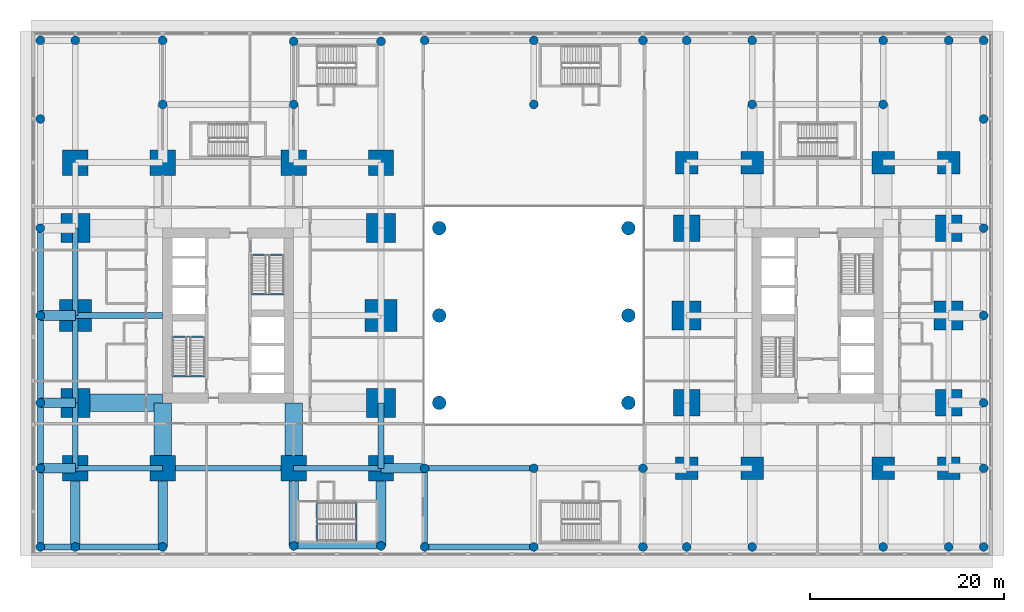
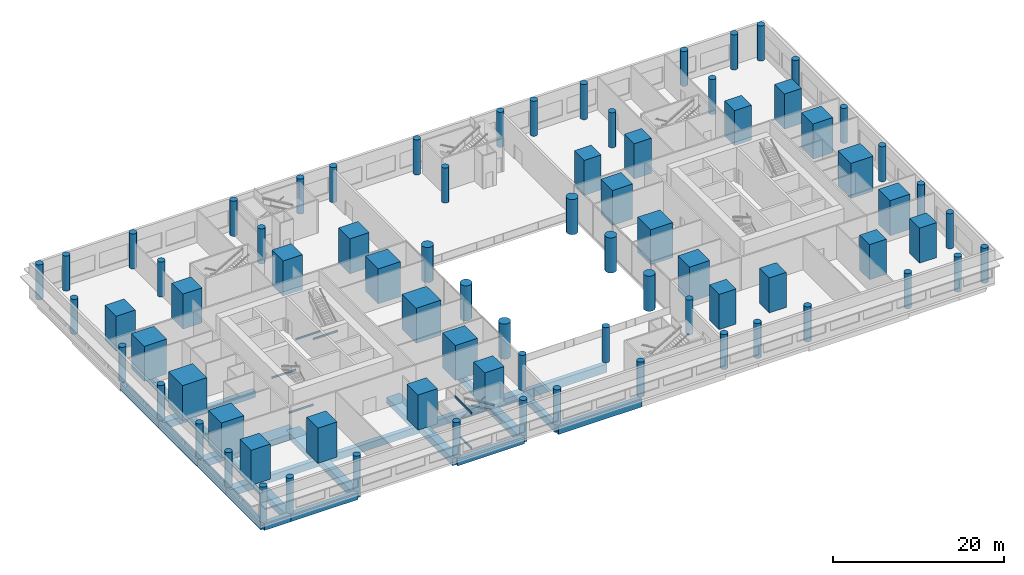
# One storey, part 1 of 22: 78 columns, 36 beams.
"""IFC4 building model written with IfcOpenShell, lengths in metres."""

from ifc_helpers import new_model, si_unit, direction, frame, origin, origin_2d, place, context, subcontext, project, spatial, rectangle, circle, i_section, extrude, material, material_profile, profile_set, type_object, element, save


model = new_model("IFC4")

# Units and contexts
model_context = context("Model", 3, precision=1e-05, world=origin(), true_north=direction((0.0, 1.0)))
body_context = subcontext(model_context, "Body", "Model", "MODEL_VIEW")
ifc_project = project(units=[si_unit("LENGTHUNIT", "METRE"), si_unit("AREAUNIT", "SQUARE_METRE"), si_unit("VOLUMEUNIT", "CUBIC_METRE"), si_unit("PLANEANGLEUNIT", "RADIAN"), si_unit("MASSUNIT", "GRAM", prefix="KILO")], contexts=[model_context])

# Site, building, storey
site_placement = place(None, origin())
site = spatial("IfcSite", under=ifc_project, at=site_placement, CompositionType="ELEMENT")
building_placement = place(site_placement, origin())
building = spatial("IfcBuilding", under=site, at=building_placement, Name="Namib Vertical Campus", CompositionType="ELEMENT")
storey_placement = place(building_placement, frame((0.0, 0.0, 11.0)))
storey = spatial("IfcBuildingStorey", under=building, at=storey_placement, Name="L02", CompositionType="ELEMENT", Elevation=11.0)

# Columns
ifc_material_1 = material(Name="Concrete C60/75", Category="concrete")
ifc_material_profile_1 = material_profile(ifc_material_1, circle(Radius=0.699951171875, at=origin_2d()))
ifc_profile_set_1 = profile_set([ifc_material_profile_1], Name="Concrete C60/75")
column_type_1 = type_object("IfcColumnType", Name="Atrium column RC D1400", PredefinedType="COLUMN", material=ifc_profile_set_1)
for number, where, z_axis, x_axis, name in (
    (1, (42.0, 11.25, 0.0), (0.0, 0.0, 1.0), (1.0, 0.0, 0.0), "Column PC14 L02"),
    (2, (61.5, 11.25, 0.0), (0.0, 0.0, 1.0), (1.0, 0.0, 0.0), "Column PC14 L02"),
    (3, (42.0, 20.25, 0.0), (0.0, 0.0, 1.0), (1.0, 0.0, 0.0), "Column PC14 L02"),
    (4, (61.5, 20.25, 0.0), (0.0, 0.0, 1.0), (1.0, 0.0, 0.0), "Column PC14 L02"),
    (5, (42.0, 29.25, 0.0), (0.0, 0.0, 1.0), (1.0, 0.0, 0.0), "Column PC14 L02"),
    (6, (61.5, 29.25, 0.0), (0.0, 0.0, 1.0), (1.0, 0.0, 0.0), "Column PC14 L02"),
):
    element("IfcColumn", number, at=place(storey_placement, frame(where, z_axis=z_axis, x_axis=x_axis)), inside=storey, type_object=column_type_1, Name=name, PredefinedType="COLUMN", context=body_context, shape_type="SweptSolid", body=[
        extrude(circle(Radius=0.699951171875, at=origin_2d()), origin(), (0.0, 0.0, 1.0), 5.0),
    ])
ifc_material_2 = material(Name="Concrete C60/75", Category="concrete")
ifc_material_profile_2 = material_profile(ifc_material_2, rectangle(XDim=2.300048828125, YDim=2.300048828125, at=origin_2d()))
ifc_profile_set_2 = profile_set([ifc_material_profile_2], Name="Concrete C60/75")
column_type_2 = type_object("IfcColumnType", Name="Column RC 2300x2300", PredefinedType="COLUMN", material=ifc_profile_set_2)
for number, where, z_axis, x_axis, name in (
    (7, (67.5, 4.5, 0.0), (0.0, 0.0, 1.0), (1.0, 0.0, 0.0), "Column C230 L02"),
    (8, (74.25, 4.5, 0.0), (0.0, 0.0, 1.0), (1.0, 0.0, 0.0), "Column C230 L02"),
    (9, (87.75, 4.5, 0.0), (0.0, 0.0, 1.0), (1.0, 0.0, 0.0), "Column C230 L02"),
    (10, (94.5, 4.5, 0.0), (0.0, 0.0, 1.0), (1.0, 0.0, 0.0), "Column C230 L02"),
    (11, (67.5, 36.0, 0.0), (0.0, 0.0, 1.0), (1.0, 0.0, 0.0), "Column C230 L02"),
    (12, (74.25, 36.0, 0.0), (0.0, 0.0, 1.0), (1.0, 0.0, 0.0), "Column C230 L02"),
    (13, (87.75, 36.0, 0.0), (0.0, 0.0, 1.0), (1.0, 0.0, 0.0), "Column C230 L02"),
    (14, (94.5, 36.0, 0.0), (0.0, 0.0, 1.0), (1.0, 0.0, 0.0), "Column C230 L02"),
):
    element("IfcColumn", number, at=place(storey_placement, frame(where, z_axis=z_axis, x_axis=x_axis)), inside=storey, type_object=column_type_2, Name=name, PredefinedType="COLUMN", context=body_context, shape_type="SweptSolid", body=[
        extrude(rectangle(XDim=2.300048828125, YDim=2.300048828125, at=origin_2d()), origin(), (0.0, 0.0, 1.0), 5.0),
    ])
ifc_material_3 = material(Name="Concrete C60/75", Category="concrete")
ifc_material_profile_3 = material_profile(ifc_material_3, rectangle(XDim=2.60009765625, YDim=2.60009765625, at=origin_2d()))
ifc_profile_set_3 = profile_set([ifc_material_profile_3], Name="Concrete C60/75")
column_type_3 = type_object("IfcColumnType", Name="Column RC 2600x2600", PredefinedType="COLUMN", material=ifc_profile_set_3)
for number, where, z_axis, x_axis, name in (
    (15, (4.5, 4.5, 0.0), (0.0, 0.0, 1.0), (1.0, 0.0, 0.0), "Column C260 L02"),
    (16, (13.5, 4.5, 0.0), (0.0, 0.0, 1.0), (1.0, 0.0, 0.0), "Column C260 L02"),
    (17, (27.0, 4.5, 0.0), (0.0, 0.0, 1.0), (1.0, 0.0, 0.0), "Column C260 L02"),
    (18, (36.0, 4.5, 0.0), (0.0, 0.0, 1.0), (1.0, 0.0, 0.0), "Column C260 L02"),
    (19, (4.5, 36.0, 0.0), (0.0, 0.0, 1.0), (1.0, 0.0, 0.0), "Column C260 L02"),
    (20, (13.5, 36.0, 0.0), (0.0, 0.0, 1.0), (1.0, 0.0, 0.0), "Column C260 L02"),
    (21, (27.0, 36.0, 0.0), (0.0, 0.0, 1.0), (1.0, 0.0, 0.0), "Column C260 L02"),
    (22, (36.0, 36.0, 0.0), (0.0, 0.0, 1.0), (1.0, 0.0, 0.0), "Column C260 L02"),
):
    element("IfcColumn", number, at=place(storey_placement, frame(where, z_axis=z_axis, x_axis=x_axis)), inside=storey, type_object=column_type_3, Name=name, PredefinedType="COLUMN", context=body_context, shape_type="SweptSolid", body=[
        extrude(rectangle(XDim=2.60009765625, YDim=2.60009765625, at=origin_2d()), origin(), (0.0, 0.0, 1.0), 5.0),
    ])
ifc_material_4 = material(Name="Concrete C60/75", Category="concrete")
ifc_material_profile_4 = material_profile(ifc_material_4, rectangle(XDim=2.699951171875, YDim=2.699951171875, at=origin_2d()))
ifc_profile_set_4 = profile_set([ifc_material_profile_4], Name="Concrete C60/75")
column_type_4 = type_object("IfcColumnType", Name="Column RC 2700x2700", PredefinedType="COLUMN", material=ifc_profile_set_4)
for number, where, z_axis, x_axis, name in (
    (23, (67.5, 11.25, 0.0), (0.0, 0.0, 1.0), (1.0, 0.0, 0.0), "Column C270 L02"),
    (24, (94.5, 11.25, 0.0), (0.0, 0.0, 1.0), (1.0, 0.0, 0.0), "Column C270 L02"),
    (25, (67.5, 29.25, 0.0), (0.0, 0.0, 1.0), (1.0, 0.0, 0.0), "Column C270 L02"),
    (26, (94.5, 29.25, 0.0), (0.0, 0.0, 1.0), (1.0, 0.0, 0.0), "Column C270 L02"),
):
    element("IfcColumn", number, at=place(storey_placement, frame(where, z_axis=z_axis, x_axis=x_axis)), inside=storey, type_object=column_type_4, Name=name, PredefinedType="COLUMN", context=body_context, shape_type="SweptSolid", body=[
        extrude(rectangle(XDim=2.699951171875, YDim=2.699951171875, at=origin_2d()), origin(), (0.0, 0.0, 1.0), 5.0),
    ])
ifc_material_5 = material(Name="Concrete C60/75", Category="concrete")
ifc_material_profile_5 = material_profile(ifc_material_5, rectangle(XDim=3.0, YDim=3.0, at=origin_2d()))
ifc_profile_set_5 = profile_set([ifc_material_profile_5], Name="Concrete C60/75")
column_type_5 = type_object("IfcColumnType", Name="Column RC 3000x3000", PredefinedType="COLUMN", material=ifc_profile_set_5)
for number, where, z_axis, x_axis, name in (
    (27, (4.5, 11.25, 0.0), (0.0, 0.0, 1.0), (1.0, 0.0, 0.0), "Column C300 L02"),
    (28, (36.0, 11.25, 0.0), (0.0, 0.0, 1.0), (1.0, 0.0, 0.0), "Column C300 L02"),
    (29, (4.5, 29.25, 0.0), (0.0, 0.0, 1.0), (1.0, 0.0, 0.0), "Column C300 L02"),
    (30, (36.0, 29.25, 0.0), (0.0, 0.0, 1.0), (1.0, 0.0, 0.0), "Column C300 L02"),
    (31, (67.5, 20.25, 0.0), (0.0, 0.0, 1.0), (1.0, 0.0, 0.0), "Column C300 L02"),
    (32, (94.5, 20.25, 0.0), (0.0, 0.0, 1.0), (1.0, 0.0, 0.0), "Column C300 L02"),
):
    element("IfcColumn", number, at=place(storey_placement, frame(where, z_axis=z_axis, x_axis=x_axis)), inside=storey, type_object=column_type_5, Name=name, PredefinedType="COLUMN", context=body_context, shape_type="SweptSolid", body=[
        extrude(rectangle(XDim=3.0, YDim=3.0, at=origin_2d()), origin(), (0.0, 0.0, 1.0), 5.0),
    ])
ifc_material_6 = material(Name="Concrete C60/75", Category="concrete")
ifc_material_profile_6 = material_profile(ifc_material_6, rectangle(XDim=3.300048828125, YDim=3.300048828125, at=origin_2d()))
ifc_profile_set_6 = profile_set([ifc_material_profile_6], Name="Concrete C60/75")
column_type_6 = type_object("IfcColumnType", Name="Column RC 3300x3300", PredefinedType="COLUMN", material=ifc_profile_set_6)
for number, where, z_axis, x_axis, name in (
    (33, (4.5, 20.25, 0.0), (0.0, 0.0, 1.0), (1.0, 0.0, 0.0), "Column C330 L02"),
    (34, (36.0, 20.25, 0.0), (0.0, 0.0, 1.0), (1.0, 0.0, 0.0), "Column C330 L02"),
):
    element("IfcColumn", number, at=place(storey_placement, frame(where, z_axis=z_axis, x_axis=x_axis)), inside=storey, type_object=column_type_6, Name=name, PredefinedType="COLUMN", context=body_context, shape_type="SweptSolid", body=[
        extrude(rectangle(XDim=3.300048828125, YDim=3.300048828125, at=origin_2d()), origin(), (0.0, 0.0, 1.0), 5.0),
    ])
ifc_material_7 = material(Name="Concrete C60/75", Category="concrete")
ifc_material_profile_7 = material_profile(ifc_material_7, circle(Radius=0.449951171875, at=origin_2d()))
ifc_profile_set_7 = profile_set([ifc_material_profile_7], Name="Concrete C60/75")
column_type_7 = type_object("IfcColumnType", Name="Podium column RC D900", PredefinedType="COLUMN", material=ifc_profile_set_7)
for number, where, z_axis, x_axis, name in (
    (35, (0.89990234375, -3.60009765625, 0.0), (0.0, 0.0, 1.0), (1.0, 0.0, 0.0), "Column PC9 L02"),
    (36, (4.5, -3.60009765625, 0.0), (0.0, 0.0, 1.0), (1.0, 0.0, 0.0), "Column PC9 L02"),
    (37, (13.5, -3.60009765625, 0.0), (0.0, 0.0, 1.0), (1.0, 0.0, 0.0), "Column PC9 L02"),
    (38, (27.0, -3.5, 0.0), (0.0, 0.0, 1.0), (1.0, 0.0, 0.0), "Column PC9 L02"),
    (39, (36.0, -3.5, 0.0), (0.0, 0.0, 1.0), (1.0, 0.0, 0.0), "Column PC9 L02"),
    (40, (40.5, -3.60009765625, 0.0), (0.0, 0.0, 1.0), (1.0, 0.0, 0.0), "Column PC9 L02"),
    (41, (51.75, -3.60009765625, 0.0), (0.0, 0.0, 1.0), (1.0, 0.0, 0.0), "Column PC9 L02"),
    (42, (63.0, -3.60009765625, 0.0), (0.0, 0.0, 1.0), (1.0, 0.0, 0.0), "Column PC9 L02"),
    (43, (67.5, -3.60009765625, 0.0), (0.0, 0.0, 1.0), (1.0, 0.0, 0.0), "Column PC9 L02"),
    (44, (74.25, -3.60009765625, 0.0), (0.0, 0.0, 1.0), (1.0, 0.0, 0.0), "Column PC9 L02"),
    (45, (87.75, -3.60009765625, 0.0), (0.0, 0.0, 1.0), (1.0, 0.0, 0.0), "Column PC9 L02"),
    (46, (94.5, -3.60009765625, 0.0), (0.0, 0.0, 1.0), (1.0, 0.0, 0.0), "Column PC9 L02"),
    (47, (98.10009765625, -3.60009765625, 0.0), (0.0, 0.0, 1.0), (1.0, 0.0, 0.0), "Column PC9 L02"),
    (48, (0.89990234375, 4.5, 0.0), (0.0, 0.0, 1.0), (1.0, 0.0, 0.0), "Column PC9 L02"),
    (49, (40.5, 4.5, 0.0), (0.0, 0.0, 1.0), (1.0, 0.0, 0.0), "Column PC9 L02"),
    (50, (51.75, 4.5, 0.0), (0.0, 0.0, 1.0), (1.0, 0.0, 0.0), "Column PC9 L02"),
    (51, (63.0, 4.5, 0.0), (0.0, 0.0, 1.0), (1.0, 0.0, 0.0), "Column PC9 L02"),
    (52, (98.10009765625, 4.5, 0.0), (0.0, 0.0, 1.0), (1.0, 0.0, 0.0), "Column PC9 L02"),
    (53, (0.89990234375, 11.25, 0.0), (0.0, 0.0, 1.0), (1.0, 0.0, 0.0), "Column PC9 L02"),
    (54, (98.10009765625, 11.25, 0.0), (0.0, 0.0, 1.0), (1.0, 0.0, 0.0), "Column PC9 L02"),
    (55, (0.89990234375, 20.25, 0.0), (0.0, 0.0, 1.0), (1.0, 0.0, 0.0), "Column PC9 L02"),
    (56, (98.10009765625, 20.25, 0.0), (0.0, 0.0, 1.0), (1.0, 0.0, 0.0), "Column PC9 L02"),
    (57, (0.89990234375, 29.25, 0.0), (0.0, 0.0, 1.0), (1.0, 0.0, 0.0), "Column PC9 L02"),
    (58, (98.10009765625, 29.25, 0.0), (0.0, 0.0, 1.0), (1.0, 0.0, 0.0), "Column PC9 L02"),
    (59, (0.89990234375, 40.5, 0.0), (0.0, 0.0, 1.0), (1.0, 0.0, 0.0), "Column PC9 L02"),
    (60, (13.5, 42.0, 0.0), (0.0, 0.0, 1.0), (1.0, 0.0, 0.0), "Column PC9 L02"),
    (61, (27.0, 42.0, 0.0), (0.0, 0.0, 1.0), (1.0, 0.0, 0.0), "Column PC9 L02"),
    (62, (51.75, 42.0, 0.0), (0.0, 0.0, 1.0), (1.0, 0.0, 0.0), "Column PC9 L02"),
    (63, (74.25, 42.0, 0.0), (0.0, 0.0, 1.0), (1.0, 0.0, 0.0), "Column PC9 L02"),
    (64, (87.75, 42.0, 0.0), (0.0, 0.0, 1.0), (1.0, 0.0, 0.0), "Column PC9 L02"),
    (65, (98.10009765625, 40.5, 0.0), (0.0, 0.0, 1.0), (1.0, 0.0, 0.0), "Column PC9 L02"),
    (66, (0.89990234375, 48.60009765625, 0.0), (0.0, 0.0, 1.0), (1.0, 0.0, 0.0), "Column PC9 L02"),
    (67, (4.5, 48.60009765625, 0.0), (0.0, 0.0, 1.0), (1.0, 0.0, 0.0), "Column PC9 L02"),
    (68, (13.5, 48.60009765625, 0.0), (0.0, 0.0, 1.0), (1.0, 0.0, 0.0), "Column PC9 L02"),
    (69, (27.0, 48.5, 0.0), (0.0, 0.0, 1.0), (1.0, 0.0, 0.0), "Column PC9 L02"),
    (70, (36.0, 48.5, 0.0), (0.0, 0.0, 1.0), (1.0, 0.0, 0.0), "Column PC9 L02"),
    (71, (40.5, 48.60009765625, 0.0), (0.0, 0.0, 1.0), (1.0, 0.0, 0.0), "Column PC9 L02"),
    (72, (51.75, 48.60009765625, 0.0), (0.0, 0.0, 1.0), (1.0, 0.0, 0.0), "Column PC9 L02"),
    (73, (63.0, 48.60009765625, 0.0), (0.0, 0.0, 1.0), (1.0, 0.0, 0.0), "Column PC9 L02"),
    (74, (67.5, 48.60009765625, 0.0), (0.0, 0.0, 1.0), (1.0, 0.0, 0.0), "Column PC9 L02"),
    (75, (74.25, 48.60009765625, 0.0), (0.0, 0.0, 1.0), (1.0, 0.0, 0.0), "Column PC9 L02"),
    (76, (87.75, 48.60009765625, 0.0), (0.0, 0.0, 1.0), (1.0, 0.0, 0.0), "Column PC9 L02"),
    (77, (94.5, 48.60009765625, 0.0), (0.0, 0.0, 1.0), (1.0, 0.0, 0.0), "Column PC9 L02"),
    (78, (98.10009765625, 48.60009765625, 0.0), (0.0, 0.0, 1.0), (1.0, 0.0, 0.0), "Column PC9 L02"),
):
    element("IfcColumn", number, at=place(storey_placement, frame(where, z_axis=z_axis, x_axis=x_axis)), inside=storey, type_object=column_type_7, Name=name, PredefinedType="COLUMN", context=body_context, shape_type="SweptSolid", body=[
        extrude(circle(Radius=0.449951171875, at=origin_2d()), origin(), (0.0, 0.0, 1.0), 5.0),
    ])

# Beams
ifc_material_8 = material(Name="Concrete C40/50", Category="concrete")
ifc_material_profile_8 = material_profile(ifc_material_8, rectangle(XDim=0.60009765625, YDim=0.89990234375, at=origin_2d()))
ifc_profile_set_8 = profile_set([ifc_material_profile_8], Name="Concrete C40/50")
beam_type_1 = type_object("IfcBeamType", Name="Floor girder RC 600x900", PredefinedType="BEAM", material=ifc_profile_set_8)
beam_1_placement = place(storey_placement, frame((4.5, 20.25, -0.75), z_axis=(1.0, 0.0, 0.0), x_axis=(0.0, 1.0, 0.0)))
element("IfcBeam", 79, at=beam_1_placement, inside=storey, type_object=beam_type_1, Name="Beam B2 L02", PredefinedType="BEAM", context=body_context, shape_type="SweptSolid", body=[
    extrude(rectangle(XDim=0.60009765625, YDim=0.89990234375, at=origin_2d()), origin(), (0.0, 0.0, 1.0), 9.0),
])
ifc_material_9 = material(Name="Steel S355JR", Category="steel")
ifc_material_profile_9 = material_profile(ifc_material_9, i_section(OverallWidth=0.14599609375, OverallDepth=0.25146484375, WebThickness=0.006103515625, FlangeThickness=0.008544921875, FilletRadius=0.007568359375, at=origin_2d()))
ifc_profile_set_9 = profile_set([ifc_material_profile_9], Name="Steel S355JR")
beam_type_2 = type_object("IfcBeamType", Name="Landing trimmer UB 254x146x31", PredefinedType="BEAM", material=ifc_profile_set_9)
for number, where, z_axis, x_axis, name in (
    (80, (14.5, 13.97705078125, -0.125732421875), (1.0, 0.0, 0.0), (0.0, 1.0, 0.0), "Landing trimmer LT1 A-S1 L02 1"),
    (81, (14.5, 18.04296875, 2.374267578125), (1.0, 0.0, 0.0), (0.0, 1.0, 0.0), "Landing trimmer LT1 A-S1 L02 2"),
    (82, (22.64990234375, 26.52294921875, -0.125732421875), (1.0, 0.0, 0.0), (0.0, 1.0, 0.0), "Landing trimmer LT1 A-S2 L02 1"),
    (83, (22.64990234375, 22.45703125, 2.374267578125), (1.0, 0.0, 0.0), (0.0, 1.0, 0.0), "Landing trimmer LT1 A-S2 L02 2"),
):
    element("IfcBeam", number, at=place(storey_placement, frame(where, z_axis=z_axis, x_axis=x_axis)), inside=storey, type_object=beam_type_2, Name=name, PredefinedType="BEAM", context=body_context, shape_type="SweptSolid", body=[
        extrude(i_section(OverallWidth=0.14599609375, OverallDepth=0.25146484375, WebThickness=0.006103515625, FlangeThickness=0.008544921875, FilletRadius=0.007568359375, at=origin_2d()), origin(), (0.0, 0.0, 1.0), 3.35009765625),
    ])
for number, where, z_axis, x_axis, name in (
    (84, (29.373046875, -3.0, -0.125732421875), (0.0, 1.0, 0.0), (-1.0, 0.0, 0.0), "Landing trimmer LT1 P-S2 L02 1"),
    (85, (33.439208984375, -3.0, 2.374267578125), (0.0, 1.0, 0.0), (-1.0, 0.0, 0.0), "Landing trimmer LT1 P-S2 L02 2"),
    (86, (29.373046875, -3.0, 4.874267578125), (0.0, 1.0, 0.0), (-1.0, 0.0, 0.0), "Landing trimmer LT1 P-S2 L02 3"),
):
    element("IfcBeam", number, at=place(storey_placement, frame(where, z_axis=z_axis, x_axis=x_axis)), inside=storey, type_object=beam_type_2, Name=name, PredefinedType="BEAM", context=body_context, shape_type="SweptSolid", body=[
        extrude(i_section(OverallWidth=0.14599609375, OverallDepth=0.25146484375, WebThickness=0.006103515625, FlangeThickness=0.008544921875, FilletRadius=0.007568359375, at=origin_2d()), origin(), (0.0, 0.0, 1.0), 4.0),
    ])
ifc_material_10 = material(Name="Concrete C40/50", Category="concrete")
ifc_material_profile_10 = material_profile(ifc_material_10, rectangle(XDim=0.60009765625, YDim=1.199951171875, at=origin_2d()))
ifc_profile_set_10 = profile_set([ifc_material_profile_10], Name="Concrete C40/50")
beam_type_3 = type_object("IfcBeamType", Name="Long-span podium beam RC 600x1200", PredefinedType="BEAM", material=ifc_profile_set_10)
for number, where, z_axis, x_axis, name in (
    (87, (40.5, -3.60009765625, -0.89990234375), (1.0, 0.0, 0.0), (0.0, 1.0, 0.0), "Beam PB4 L02"),
    (88, (40.5, 4.5, -0.89990234375), (1.0, 0.0, 0.0), (0.0, 1.0, 0.0), "Beam PB4 L02"),
):
    element("IfcBeam", number, at=place(storey_placement, frame(where, z_axis=z_axis, x_axis=x_axis)), inside=storey, type_object=beam_type_3, Name=name, PredefinedType="BEAM", context=body_context, shape_type="SweptSolid", body=[
        extrude(rectangle(XDim=0.60009765625, YDim=1.199951171875, at=origin_2d()), origin(), (0.0, 0.0, 1.0), 11.25),
    ])
ifc_material_11 = material(Name="Concrete C40/50", Category="concrete")
ifc_material_profile_11 = material_profile(ifc_material_11, rectangle(XDim=1.800048828125, YDim=0.89990234375, at=origin_2d()))
ifc_profile_set_11 = profile_set([ifc_material_profile_11], Name="Concrete C40/50")
beam_type_4 = type_object("IfcBeamType", Name="Outrigger line girder RC 1800x900", PredefinedType="BEAM", material=ifc_profile_set_11)
for number, where, z_axis, x_axis, name in (
    (89, (13.5, 4.5, -0.75), (0.0, 1.0, 0.0), (-1.0, 0.0, 0.0), "Beam B12 L02"),
    (90, (27.0, 4.5, -0.75), (0.0, 1.0, 0.0), (-1.0, 0.0, 0.0), "Beam B12 L02"),
):
    element("IfcBeam", number, at=place(storey_placement, frame(where, z_axis=z_axis, x_axis=x_axis)), inside=storey, type_object=beam_type_4, Name=name, PredefinedType="BEAM", context=body_context, shape_type="SweptSolid", body=[
        extrude(rectangle(XDim=1.800048828125, YDim=0.89990234375, at=origin_2d()), origin(), (0.0, 0.0, 1.0), 6.75),
    ])
beam_2_placement = place(storey_placement, frame((4.5, 11.25, -0.75), z_axis=(1.0, 0.0, 0.0), x_axis=(0.0, 1.0, 0.0)))
element("IfcBeam", 91, at=beam_2_placement, inside=storey, type_object=beam_type_4, Name="Beam B12 L02", PredefinedType="BEAM", context=body_context, shape_type="SweptSolid", body=[
    extrude(rectangle(XDim=1.800048828125, YDim=0.89990234375, at=origin_2d()), origin(), (0.0, 0.0, 1.0), 9.0),
])
ifc_material_12 = material(Name="Concrete C40/50", Category="concrete")
ifc_material_profile_12 = material_profile(ifc_material_12, rectangle(XDim=0.60009765625, YDim=1.0, at=origin_2d()))
ifc_profile_set_12 = profile_set([ifc_material_profile_12], Name="Concrete C40/50")
beam_type_5 = type_object("IfcBeamType", Name="Podium beam RC 600x1000", PredefinedType="BEAM", material=ifc_profile_set_12)
beam_3_placement = place(storey_placement, frame((0.89990234375, -3.60009765625, -0.800048828125), z_axis=(0.0, 1.0, 0.0), x_axis=(-1.0, 0.0, 0.0)))
element("IfcBeam", 92, at=beam_3_placement, inside=storey, type_object=beam_type_5, Name="Beam PB1 L02", PredefinedType="BEAM", context=body_context, shape_type="SweptSolid", body=[
    extrude(rectangle(XDim=0.60009765625, YDim=1.0, at=origin_2d()), origin(), (0.0, 0.0, 1.0), 8.10009765625),
])
beam_4_placement = place(storey_placement, frame((0.89990234375, 4.5, -0.800048828125), z_axis=(0.0, 1.0, 0.0), x_axis=(-1.0, 0.0, 0.0)))
element("IfcBeam", 93, at=beam_4_placement, inside=storey, type_object=beam_type_5, Name="Beam PB1 L02", PredefinedType="BEAM", context=body_context, shape_type="SweptSolid", body=[
    extrude(rectangle(XDim=0.60009765625, YDim=1.0, at=origin_2d()), origin(), (0.0, 0.0, 1.0), 6.75),
])
for number, where, z_axis, x_axis, name in (
    (94, (0.89990234375, 11.25, -0.800048828125), (0.0, 1.0, 0.0), (-1.0, 0.0, 0.0), "Beam PB1 L02"),
    (95, (0.89990234375, 20.25, -0.800048828125), (0.0, 1.0, 0.0), (-1.0, 0.0, 0.0), "Beam PB1 L02"),
):
    element("IfcBeam", number, at=place(storey_placement, frame(where, z_axis=z_axis, x_axis=x_axis)), inside=storey, type_object=beam_type_5, Name=name, PredefinedType="BEAM", context=body_context, shape_type="SweptSolid", body=[
        extrude(rectangle(XDim=0.60009765625, YDim=1.0, at=origin_2d()), origin(), (0.0, 0.0, 1.0), 9.0),
    ])
beam_5_placement = place(storey_placement, frame((40.5, -3.60009765625, -0.800048828125), z_axis=(0.0, 1.0, 0.0), x_axis=(-1.0, 0.0, 0.0)))
element("IfcBeam", 96, at=beam_5_placement, inside=storey, type_object=beam_type_5, Name="Beam PB1 L02", PredefinedType="BEAM", context=body_context, shape_type="SweptSolid", body=[
    extrude(rectangle(XDim=0.60009765625, YDim=1.0, at=origin_2d()), origin(), (0.0, 0.0, 1.0), 8.10009765625),
])
beam_6_placement = place(storey_placement, frame((0.89990234375, -3.60009765625, -0.800048828125), z_axis=(1.0, 0.0, 0.0), x_axis=(0.0, 1.0, 0.0)))
element("IfcBeam", 97, at=beam_6_placement, inside=storey, type_object=beam_type_5, Name="Beam PB1 L02", PredefinedType="BEAM", context=body_context, shape_type="SweptSolid", body=[
    extrude(rectangle(XDim=0.60009765625, YDim=1.0, at=origin_2d()), origin(), (0.0, 0.0, 1.0), 3.60009765625),
])
for number, where, z_axis, x_axis, name in (
    (98, (4.5, -3.60009765625, -0.800048828125), (1.0, 0.0, 0.0), (0.0, 1.0, 0.0), "Beam PB1 L02"),
    (99, (27.0, -3.5, -0.800048828125), (1.0, 0.0, 0.0), (0.0, 1.0, 0.0), "Beam PB1 L02"),
):
    element("IfcBeam", number, at=place(storey_placement, frame(where, z_axis=z_axis, x_axis=x_axis)), inside=storey, type_object=beam_type_5, Name=name, PredefinedType="BEAM", context=body_context, shape_type="SweptSolid", body=[
        extrude(rectangle(XDim=0.60009765625, YDim=1.0, at=origin_2d()), origin(), (0.0, 0.0, 1.0), 9.0),
    ])
ifc_material_13 = material(Name="Concrete C40/50", Category="concrete")
ifc_material_profile_13 = material_profile(ifc_material_13, rectangle(XDim=0.60009765625, YDim=1.0, at=origin_2d()))
ifc_profile_set_13 = profile_set([ifc_material_profile_13], Name="Concrete C40/50")
beam_type_6 = type_object("IfcBeamType", Name="Podium ring beam RC 600x1000", PredefinedType="BEAM", material=ifc_profile_set_13)
beam_7_placement = place(storey_placement, frame((4.5, 4.5, -0.800048828125), z_axis=(1.0, 0.0, 0.0), x_axis=(0.0, 1.0, 0.0)))
element("IfcBeam", 100, at=beam_7_placement, inside=storey, type_object=beam_type_6, Name="Beam B6 L02", PredefinedType="BEAM", context=body_context, shape_type="SweptSolid", body=[
    extrude(rectangle(XDim=0.60009765625, YDim=1.0, at=origin_2d()), origin(), (0.0, 0.0, 1.0), 9.0),
])
beam_8_placement = place(storey_placement, frame((13.5, 4.5, -0.800048828125), z_axis=(1.0, 0.0, 0.0), x_axis=(0.0, 1.0, 0.0)))
element("IfcBeam", 101, at=beam_8_placement, inside=storey, type_object=beam_type_6, Name="Beam B6 L02", PredefinedType="BEAM", context=body_context, shape_type="SweptSolid", body=[
    extrude(rectangle(XDim=0.60009765625, YDim=1.0, at=origin_2d()), origin(), (0.0, 0.0, 1.0), 13.5),
])
beam_9_placement = place(storey_placement, frame((27.0, 4.5, -0.800048828125), z_axis=(1.0, 0.0, 0.0), x_axis=(0.0, 1.0, 0.0)))
element("IfcBeam", 102, at=beam_9_placement, inside=storey, type_object=beam_type_6, Name="Beam B6 L02", PredefinedType="BEAM", context=body_context, shape_type="SweptSolid", body=[
    extrude(rectangle(XDim=0.60009765625, YDim=1.0, at=origin_2d()), origin(), (0.0, 0.0, 1.0), 9.0),
])
beam_10_placement = place(storey_placement, frame((4.5, 4.5, -0.800048828125), z_axis=(0.0, 1.0, 0.0), x_axis=(-1.0, 0.0, 0.0)))
element("IfcBeam", 103, at=beam_10_placement, inside=storey, type_object=beam_type_6, Name="Beam B6 L02", PredefinedType="BEAM", context=body_context, shape_type="SweptSolid", body=[
    extrude(rectangle(XDim=0.60009765625, YDim=1.0, at=origin_2d()), origin(), (0.0, 0.0, 1.0), 6.75),
])
for number, where, z_axis, x_axis, name in (
    (104, (4.5, 11.25, -0.800048828125), (0.0, 1.0, 0.0), (-1.0, 0.0, 0.0), "Beam B6 L02"),
    (105, (4.5, 20.25, -0.800048828125), (0.0, 1.0, 0.0), (-1.0, 0.0, 0.0), "Beam B6 L02"),
):
    element("IfcBeam", number, at=place(storey_placement, frame(where, z_axis=z_axis, x_axis=x_axis)), inside=storey, type_object=beam_type_6, Name=name, PredefinedType="BEAM", context=body_context, shape_type="SweptSolid", body=[
        extrude(rectangle(XDim=0.60009765625, YDim=1.0, at=origin_2d()), origin(), (0.0, 0.0, 1.0), 9.0),
    ])
beam_11_placement = place(storey_placement, frame((36.0, 4.5, -0.800048828125), z_axis=(0.0, 1.0, 0.0), x_axis=(-1.0, 0.0, 0.0)))
element("IfcBeam", 106, at=beam_11_placement, inside=storey, type_object=beam_type_6, Name="Beam B6 L02", PredefinedType="BEAM", context=body_context, shape_type="SweptSolid", body=[
    extrude(rectangle(XDim=0.60009765625, YDim=1.0, at=origin_2d()), origin(), (0.0, 0.0, 1.0), 6.75),
])
ifc_material_14 = material(Name="Concrete C40/50", Category="concrete")
ifc_material_profile_14 = material_profile(ifc_material_14, rectangle(XDim=1.0, YDim=1.0, at=origin_2d()))
ifc_profile_set_14 = profile_set([ifc_material_profile_14], Name="Concrete C40/50")
beam_type_7 = type_object("IfcBeamType", Name="Podium tie beam RC 1000x1000", PredefinedType="BEAM", material=ifc_profile_set_14)
for number, where, z_axis, x_axis, name in (
    (107, (4.5, -3.60009765625, -0.800048828125), (0.0, 1.0, 0.0), (-1.0, 0.0, 0.0), "Beam PB3 L02"),
    (108, (13.5, -3.60009765625, -0.800048828125), (0.0, 1.0, 0.0), (-1.0, 0.0, 0.0), "Beam PB3 L02"),
):
    element("IfcBeam", number, at=place(storey_placement, frame(where, z_axis=z_axis, x_axis=x_axis)), inside=storey, type_object=beam_type_7, Name=name, PredefinedType="BEAM", context=body_context, shape_type="SweptSolid", body=[
        extrude(rectangle(XDim=1.0, YDim=1.0, at=origin_2d()), origin(), (0.0, 0.0, 1.0), 8.10009765625),
    ])
for number, where, z_axis, x_axis, name in (
    (109, (27.0, -3.5, -0.800048828125), (0.0, 1.0, 0.0), (-1.0, 0.0, 0.0), "Beam PB3 L02"),
    (110, (36.0, -3.5, -0.800048828125), (0.0, 1.0, 0.0), (-1.0, 0.0, 0.0), "Beam PB3 L02"),
):
    element("IfcBeam", number, at=place(storey_placement, frame(where, z_axis=z_axis, x_axis=x_axis)), inside=storey, type_object=beam_type_7, Name=name, PredefinedType="BEAM", context=body_context, shape_type="SweptSolid", body=[
        extrude(rectangle(XDim=1.0, YDim=1.0, at=origin_2d()), origin(), (0.0, 0.0, 1.0), 8.0),
    ])
beam_12_placement = place(storey_placement, frame((0.89990234375, 4.5, -0.800048828125), z_axis=(1.0, 0.0, 0.0), x_axis=(0.0, 1.0, 0.0)))
element("IfcBeam", 111, at=beam_12_placement, inside=storey, type_object=beam_type_7, Name="Beam PB3 L02", PredefinedType="BEAM", context=body_context, shape_type="SweptSolid", body=[
    extrude(rectangle(XDim=1.0, YDim=1.0, at=origin_2d()), origin(), (0.0, 0.0, 1.0), 3.60009765625),
])
beam_13_placement = place(storey_placement, frame((36.0, 4.5, -0.800048828125), z_axis=(1.0, 0.0, 0.0), x_axis=(0.0, 1.0, 0.0)))
element("IfcBeam", 112, at=beam_13_placement, inside=storey, type_object=beam_type_7, Name="Beam PB3 L02", PredefinedType="BEAM", context=body_context, shape_type="SweptSolid", body=[
    extrude(rectangle(XDim=1.0, YDim=1.0, at=origin_2d()), origin(), (0.0, 0.0, 1.0), 4.5),
])
for number, where, z_axis, x_axis, name in (
    (113, (0.89990234375, 11.25, -0.800048828125), (1.0, 0.0, 0.0), (0.0, 1.0, 0.0), "Beam PB3 L02"),
    (114, (0.89990234375, 20.25, -0.800048828125), (1.0, 0.0, 0.0), (0.0, 1.0, 0.0), "Beam PB3 L02"),
):
    element("IfcBeam", number, at=place(storey_placement, frame(where, z_axis=z_axis, x_axis=x_axis)), inside=storey, type_object=beam_type_7, Name=name, PredefinedType="BEAM", context=body_context, shape_type="SweptSolid", body=[
        extrude(rectangle(XDim=1.0, YDim=1.0, at=origin_2d()), origin(), (0.0, 0.0, 1.0), 3.60009765625),
    ])

save(model, "model.ifc")
